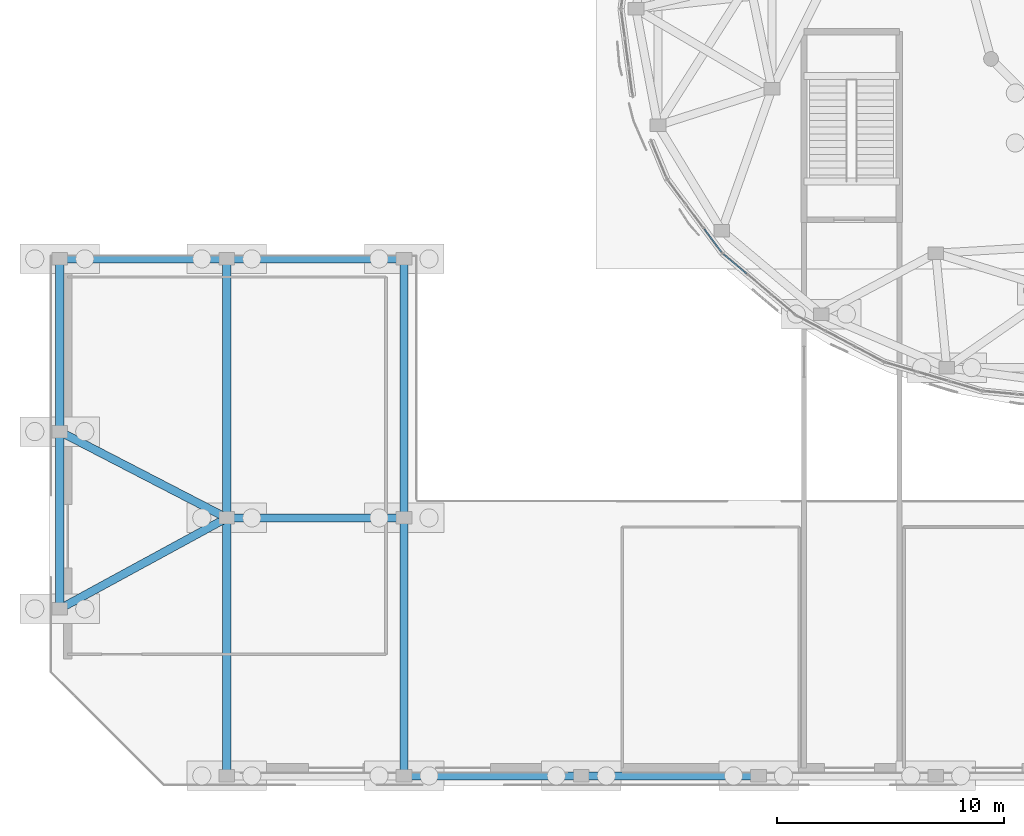
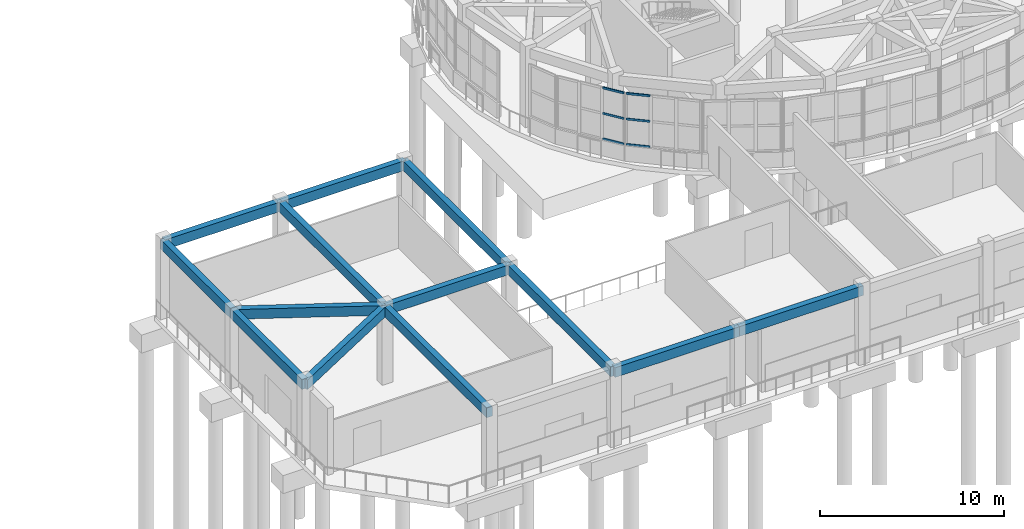
# One storey, part 5 of 96: 13 beams, 6 members, 2 elements without a shape of their own.
"""IFC4 building model written with IfcOpenShell, lengths in metres."""

from ifc_helpers import new_model, si_unit, direction, frame, origin, origin_2d, place, context, subcontext, project, spatial, rectangle, hollow_rectangle, extrude, material, layer, layer_set, material_profile, profile_set, type_object, element, aggregate, save


model = new_model("IFC4")

# Units and contexts
model_context = context("Model", 3, precision=1e-05, world=origin(), true_north=direction((0.0, 1.0)))
body_context = subcontext(model_context, "Body", "Model", "MODEL_VIEW")
ifc_project = project(units=[si_unit("LENGTHUNIT", "METRE"), si_unit("AREAUNIT", "SQUARE_METRE"), si_unit("VOLUMEUNIT", "CUBIC_METRE"), si_unit("PLANEANGLEUNIT", "RADIAN"), si_unit("MASSUNIT", "GRAM", prefix="KILO")], contexts=[model_context])

# Site, building, storey
site_placement = place(None, origin())
site = spatial("IfcSite", under=ifc_project, at=site_placement, CompositionType="ELEMENT")
building_placement = place(site_placement, origin())
building = spatial("IfcBuilding", under=site, at=building_placement, Name="Pelvatis Terrace Science Centre", CompositionType="ELEMENT")
storey_placement = place(building_placement, origin())
storey = spatial("IfcBuildingStorey", under=building, at=storey_placement, Name="L00", CompositionType="ELEMENT", Elevation=0.0)

# Curtain wall, members
ifc_material_1 = material(Name="Bronze-anodised aluminium and laminated glass", Category="aluminium")
ifc_layer = layer(ifc_material_1, 0.179931640625)
ifc_layer_set = layer_set([ifc_layer], Name="Bronze-anodised aluminium and laminated glass")
curtain_wall_type = type_object("IfcCurtainWallType", Name="CW-RIBBON-A", PredefinedType="NOTDEFINED", material=ifc_layer_set)
curtain_wall_1_placement = place(storey_placement, origin())
curtain_wall_1 = element("IfcCurtainWall", 1, at=curtain_wall_1_placement, inside=storey, type_object=curtain_wall_type, Name="Ribbon curtain wall CW-010 (L00)", PredefinedType="NOTDEFINED")
ifc_material_2 = material(Name="Bronze-anodised aluminium 6063-T6", Category="aluminium")
ifc_material_profile_1 = material_profile(ifc_material_2, hollow_rectangle(XDim=0.06005859375, YDim=0.139892578125, WallThickness=0.00390625, at=origin_2d()), Name="ALU-TRN 60x140")
ifc_profile_set_1 = profile_set([ifc_material_profile_1], Name="Bronze-anodised aluminium 6063-T6")
member_type = type_object("IfcMemberType", Name="CWT-60x140", PredefinedType="USERDEFINED", material=ifc_profile_set_1)
member_1_placement = place(storey_placement, frame((28.8173828125, 24.510986328125, 1.050048828125), z_axis=(0.59735037434, -0.801980380231, 0.0), x_axis=(0.801980380231, 0.59735037434, 0.0)))
member_1 = element("IfcMember", 2, at=member_1_placement, type_object=member_type, Name="CW-010 transom 3.1", ObjectType="TRANSOM", PredefinedType="USERDEFINED", context=body_context, shape_type="SweptSolid", body=[
    extrude(hollow_rectangle(XDim=0.06005859375, YDim=0.139892578125, WallThickness=0.00390625, at=origin_2d()), origin(), (0.0, 0.0, 1.0), 1.26953125),
])
member_2_placement = place(storey_placement, frame((28.8173828125, 24.510986328125, 2.739990234375), z_axis=(0.59735037434, -0.801980380231, 0.0), x_axis=(0.801980380231, 0.59735037434, 0.0)))
member_2 = element("IfcMember", 3, at=member_2_placement, type_object=member_type, Name="CW-010 transom 3.2", ObjectType="TRANSOM", PredefinedType="USERDEFINED", context=body_context, shape_type="SweptSolid", body=[
    extrude(hollow_rectangle(XDim=0.06005859375, YDim=0.139892578125, WallThickness=0.00390625, at=origin_2d()), origin(), (0.0, 0.0, 1.0), 1.26953125),
])
member_3_placement = place(storey_placement, frame((28.8173828125, 24.510986328125, 4.429931640625), z_axis=(0.59735037434, -0.801980380231, 0.0), x_axis=(0.801980380231, 0.59735037434, 0.0)))
member_3 = element("IfcMember", 4, at=member_3_placement, type_object=member_type, Name="CW-010 transom 3.3", ObjectType="TRANSOM", PredefinedType="USERDEFINED", context=body_context, shape_type="SweptSolid", body=[
    extrude(hollow_rectangle(XDim=0.06005859375, YDim=0.139892578125, WallThickness=0.00390625, at=origin_2d()), origin(), (0.0, 0.0, 1.0), 1.26953125),
])
aggregate(curtain_wall_1, [member_1, member_2, member_3])

curtain_wall_2_placement = place(storey_placement, origin())
curtain_wall_2 = element("IfcCurtainWall", 5, at=curtain_wall_2_placement, inside=storey, type_object=curtain_wall_type, Name="Ribbon curtain wall CW-011 (L00)", PredefinedType="NOTDEFINED")
member_4_placement = place(storey_placement, frame((29.657470703125, 23.406005859375, 1.050048828125), z_axis=(0.764408097056, -0.6447327052, 0.0), x_axis=(0.6447327052, 0.764408097056, 0.0)))
member_4 = element("IfcMember", 6, at=member_4_placement, type_object=member_type, Name="CW-011 transom 1.1", ObjectType="TRANSOM", PredefinedType="USERDEFINED", context=body_context, shape_type="SweptSolid", body=[
    extrude(hollow_rectangle(XDim=0.06005859375, YDim=0.139892578125, WallThickness=0.00390625, at=origin_2d()), origin(), (0.0, 0.0, 1.0), 1.322021484375),
])
member_5_placement = place(storey_placement, frame((29.657470703125, 23.406005859375, 2.739990234375), z_axis=(0.764408097056, -0.6447327052, 0.0), x_axis=(0.6447327052, 0.764408097056, 0.0)))
member_5 = element("IfcMember", 7, at=member_5_placement, type_object=member_type, Name="CW-011 transom 1.2", ObjectType="TRANSOM", PredefinedType="USERDEFINED", context=body_context, shape_type="SweptSolid", body=[
    extrude(hollow_rectangle(XDim=0.06005859375, YDim=0.139892578125, WallThickness=0.00390625, at=origin_2d()), origin(), (0.0, 0.0, 1.0), 1.322021484375),
])
member_6_placement = place(storey_placement, frame((29.657470703125, 23.406005859375, 4.429931640625), z_axis=(0.764408097056, -0.6447327052, 0.0), x_axis=(0.6447327052, 0.764408097056, 0.0)))
member_6 = element("IfcMember", 8, at=member_6_placement, type_object=member_type, Name="CW-011 transom 1.3", ObjectType="TRANSOM", PredefinedType="USERDEFINED", context=body_context, shape_type="SweptSolid", body=[
    extrude(hollow_rectangle(XDim=0.06005859375, YDim=0.139892578125, WallThickness=0.00390625, at=origin_2d()), origin(), (0.0, 0.0, 1.0), 1.322021484375),
])
aggregate(curtain_wall_2, [member_4, member_5, member_6])

# Beams
ifc_material_3 = material(Name="Concrete C35/45", Category="concrete")
ifc_material_profile_2 = material_profile(ifc_material_3, rectangle(XDim=0.360107421875, YDim=0.639892578125, at=origin_2d()), Name="RC-SPN 360x640")
ifc_profile_set_2 = profile_set([ifc_material_profile_2], Name="Concrete C35/45")
beam_type = type_object("IfcBeamType", Name="SPN-RC-360x640", PredefinedType="SPANDREL", material=ifc_profile_set_2)
beam_1_placement = place(storey_placement, frame((0.449951171875, 7.800048828125, 4.820068359375), z_axis=(0.0, 1.0, 0.0), x_axis=(-1.0, 0.0, 0.0)))
element("IfcBeam", 9, at=beam_1_placement, inside=storey, type_object=beam_type, Name="Spandrel SP-L00-2510", PredefinedType="SPANDREL", context=body_context, shape_type="SweptSolid", body=[
    extrude(rectangle(XDim=0.360107421875, YDim=0.639892578125, at=origin_2d()), origin(), (0.0, 0.0, 1.0), 7.800048828125),
])
beam_2_placement = place(storey_placement, frame((0.449951171875, 7.800048828125, 4.820068359375), z_axis=(0.878354542102, 0.478009726228, 0.0), x_axis=(-0.478009726228, 0.878354542102, 0.0)))
element("IfcBeam", 10, at=beam_2_placement, inside=storey, type_object=beam_type, Name="Spandrel SP-L00-2511", PredefinedType="SPANDREL", context=body_context, shape_type="SweptSolid", body=[
    extrude(rectangle(XDim=0.360107421875, YDim=0.639892578125, at=origin_2d()), origin(), (0.0, 0.0, 1.0), 8.367919921875),
])
beam_3_placement = place(storey_placement, frame((0.449951171875, 15.60009765625, 4.820068359375), z_axis=(0.0, 1.0, 0.0), x_axis=(-1.0, 0.0, 0.0)))
element("IfcBeam", 11, at=beam_3_placement, inside=storey, type_object=beam_type, Name="Spandrel SP-L00-2512", PredefinedType="SPANDREL", context=body_context, shape_type="SweptSolid", body=[
    extrude(rectangle(XDim=0.360107421875, YDim=0.639892578125, at=origin_2d()), origin(), (0.0, 0.0, 1.0), 7.599853515625),
])
beam_4_placement = place(storey_placement, frame((0.449951171875, 15.60009765625, 4.820068359375), z_axis=(0.888302740906, -0.459258359204, 0.0), x_axis=(0.459258359204, 0.888302740906, 0.0)))
element("IfcBeam", 12, at=beam_4_placement, inside=storey, type_object=beam_type, Name="Spandrel SP-L00-2513", PredefinedType="SPANDREL", context=body_context, shape_type="SweptSolid", body=[
    extrude(rectangle(XDim=0.360107421875, YDim=0.639892578125, at=origin_2d()), origin(), (0.0, 0.0, 1.0), 8.2744140625),
])
beam_5_placement = place(storey_placement, frame((0.449951171875, 23.199951171875, 4.820068359375), z_axis=(1.0, 0.0, 0.0), x_axis=(0.0, 1.0, 0.0)))
element("IfcBeam", 13, at=beam_5_placement, inside=storey, type_object=beam_type, Name="Spandrel SP-L00-2514", PredefinedType="SPANDREL", context=body_context, shape_type="SweptSolid", body=[
    extrude(rectangle(XDim=0.360107421875, YDim=0.639892578125, at=origin_2d()), origin(), (0.0, 0.0, 1.0), 7.35009765625),
])
beam_6_placement = place(storey_placement, frame((7.800048828125, 0.449951171875, 4.820068359375), z_axis=(0.0, 1.0, 0.0), x_axis=(-1.0, 0.0, 0.0)))
element("IfcBeam", 14, at=beam_6_placement, inside=storey, type_object=beam_type, Name="Spandrel SP-L00-2516", PredefinedType="SPANDREL", context=body_context, shape_type="SweptSolid", body=[
    extrude(rectangle(XDim=0.360107421875, YDim=0.639892578125, at=origin_2d()), origin(), (0.0, 0.0, 1.0), 11.35009765625),
])
beam_7_placement = place(storey_placement, frame((15.60009765625, 0.449951171875, 4.820068359375), z_axis=(1.0, 0.0, 0.0), x_axis=(0.0, 1.0, 0.0)))
element("IfcBeam", 15, at=beam_7_placement, inside=storey, type_object=beam_type, Name="Spandrel SP-L00-2517", PredefinedType="SPANDREL", context=body_context, shape_type="SweptSolid", body=[
    extrude(rectangle(XDim=0.360107421875, YDim=0.639892578125, at=origin_2d()), origin(), (0.0, 0.0, 1.0), 7.7998046875),
])
beam_8_placement = place(storey_placement, frame((15.60009765625, 0.449951171875, 4.820068359375), z_axis=(0.0, 1.0, 0.0), x_axis=(-1.0, 0.0, 0.0)))
element("IfcBeam", 16, at=beam_8_placement, inside=storey, type_object=beam_type, Name="Spandrel SP-L00-2518", PredefinedType="SPANDREL", context=body_context, shape_type="SweptSolid", body=[
    extrude(rectangle(XDim=0.360107421875, YDim=0.639892578125, at=origin_2d()), origin(), (0.0, 0.0, 1.0), 11.35009765625),
])
for number, where, z_axis, x_axis, name in (
    (17, (23.39990234375, 0.449951171875, 4.820068359375), (1.0, 0.0, 0.0), (0.0, 1.0, 0.0), "Spandrel SP-L00-2519"),
    (18, (7.800048828125, 11.800048828125, 4.820068359375), (1.0, 0.0, 0.0), (0.0, 1.0, 0.0), "Spandrel SP-L00-2522"),
):
    element("IfcBeam", number, at=place(storey_placement, frame(where, z_axis=z_axis, x_axis=x_axis)), inside=storey, type_object=beam_type, Name=name, PredefinedType="SPANDREL", context=body_context, shape_type="SweptSolid", body=[
        extrude(rectangle(XDim=0.360107421875, YDim=0.639892578125, at=origin_2d()), origin(), (0.0, 0.0, 1.0), 7.800048828125),
    ])
for number, where, z_axis, x_axis, name in (
    (19, (7.800048828125, 11.800048828125, 4.820068359375), (0.0, 1.0, 0.0), (-1.0, 0.0, 0.0), "Spandrel SP-L00-2523"),
    (20, (15.60009765625, 11.800048828125, 4.820068359375), (0.0, 1.0, 0.0), (-1.0, 0.0, 0.0), "Spandrel SP-L00-2524"),
):
    element("IfcBeam", number, at=place(storey_placement, frame(where, z_axis=z_axis, x_axis=x_axis)), inside=storey, type_object=beam_type, Name=name, PredefinedType="SPANDREL", context=body_context, shape_type="SweptSolid", body=[
        extrude(rectangle(XDim=0.360107421875, YDim=0.639892578125, at=origin_2d()), origin(), (0.0, 0.0, 1.0), 11.39990234375),
    ])
beam_9_placement = place(storey_placement, frame((7.800048828125, 23.199951171875, 4.820068359375), z_axis=(1.0, 0.0, 0.0), x_axis=(0.0, 1.0, 0.0)))
element("IfcBeam", 21, at=beam_9_placement, inside=storey, type_object=beam_type, Name="Spandrel SP-L00-2525", PredefinedType="SPANDREL", context=body_context, shape_type="SweptSolid", body=[
    extrude(rectangle(XDim=0.360107421875, YDim=0.639892578125, at=origin_2d()), origin(), (0.0, 0.0, 1.0), 7.800048828125),
])

save(model, "model.ifc")
